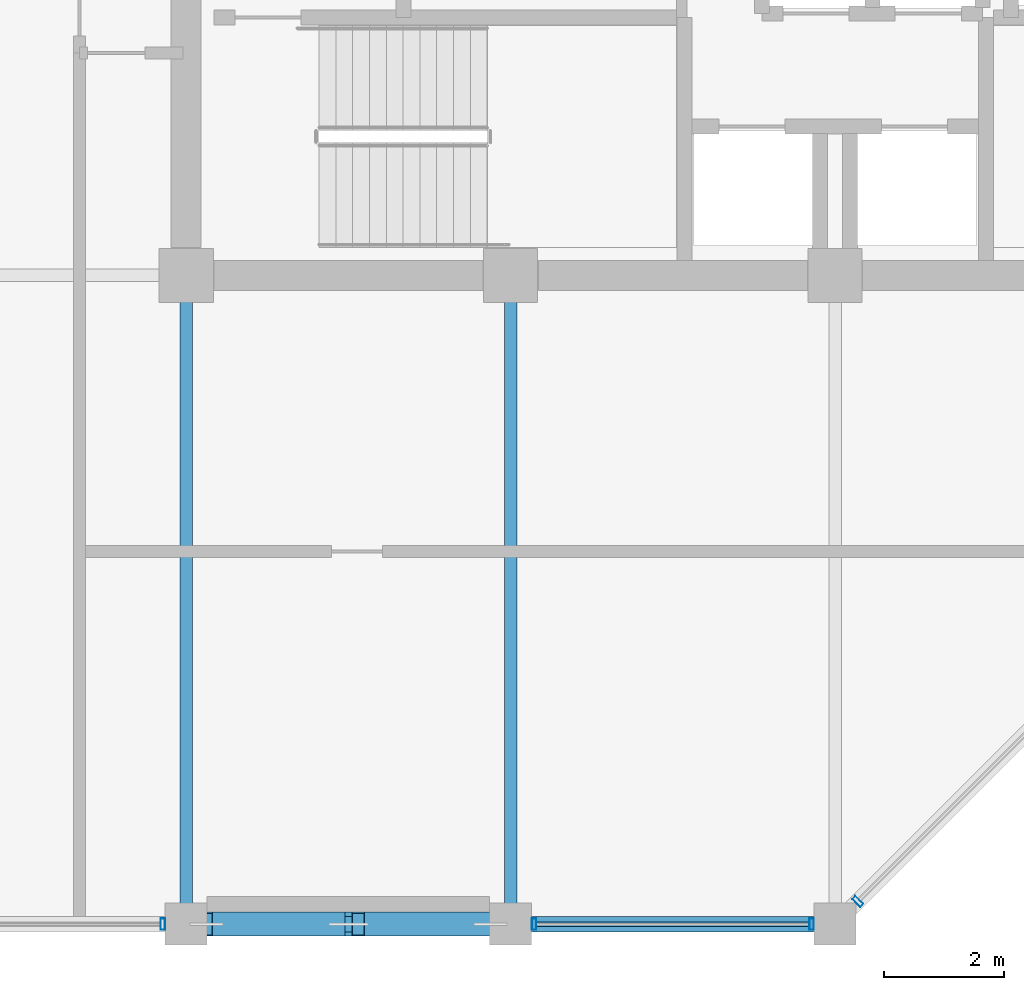
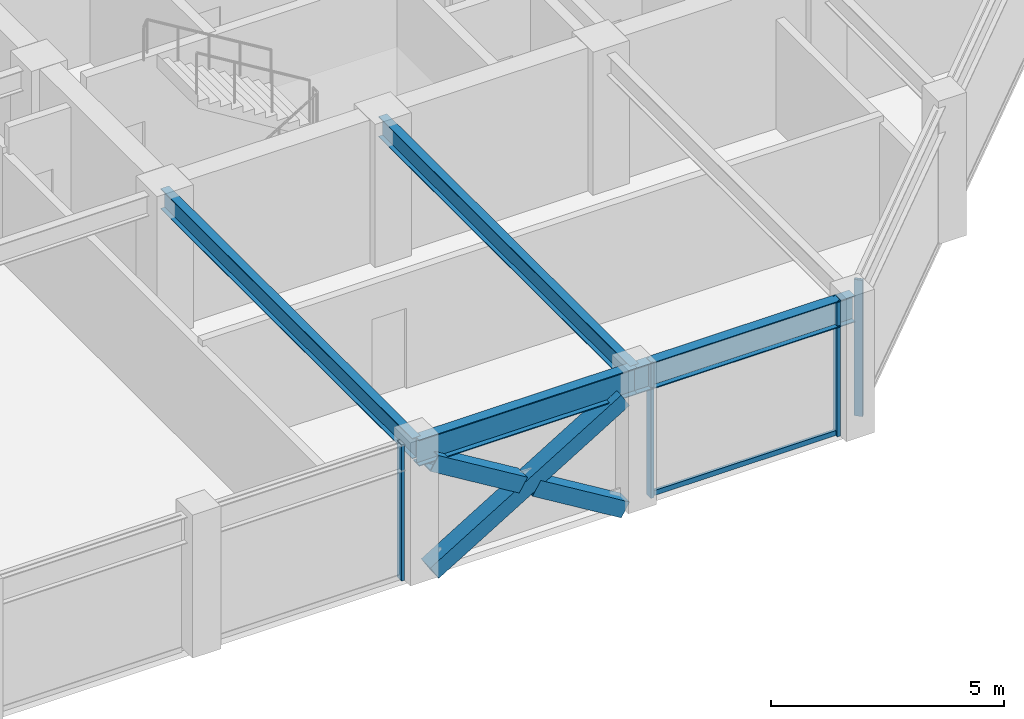
# One storey, part 6 of 29: 8 members, 4 beams, 3 elements without a shape of their own.
"""IFC4 building model written with IfcOpenShell, lengths in metres."""

from ifc_helpers import new_model, si_unit, direction, frame, origin, origin_2d, place, context, subcontext, project, spatial, hollow_rectangle, i_section, extrude, material, layer, layer_set, material_profile, profile_set, type_object, element, aggregate, save


model = new_model("IFC4")

# Units and contexts
model_context = context("Model", 3, precision=1e-05, world=origin(), true_north=direction((0.0, 1.0)))
body_context = subcontext(model_context, "Body", "Model", "MODEL_VIEW")
ifc_project = project(units=[si_unit("LENGTHUNIT", "METRE"), si_unit("AREAUNIT", "SQUARE_METRE"), si_unit("VOLUMEUNIT", "CUBIC_METRE"), si_unit("PLANEANGLEUNIT", "RADIAN"), si_unit("MASSUNIT", "GRAM", prefix="KILO")], contexts=[model_context])

# Site, building, storey
site_placement = place(None, origin())
site = spatial("IfcSite", under=ifc_project, at=site_placement, CompositionType="ELEMENT")
building_placement = place(site_placement, origin())
building = spatial("IfcBuilding", under=site, at=building_placement, Name="Surkhivell Harbour Commons", CompositionType="ELEMENT")
storey_placement = place(building_placement, frame((0.0, 0.0, 277.5)))
storey = spatial("IfcBuildingStorey", under=building, at=storey_placement, Name="L72", CompositionType="ELEMENT", Elevation=277.5)

# Beams
ifc_material_1 = material(Name="Steel S355", Category="steel")
ifc_material_profile_1 = material_profile(ifc_material_1, i_section(OverallWidth=0.2099609375, OverallDepth=0.537109375, WebThickness=0.0107421875, FlangeThickness=0.017333984375, at=origin_2d()), Name="UB533x210x101")
ifc_profile_set_1 = profile_set([ifc_material_profile_1], Name="Steel S355")
beam_type_1 = type_object("IfcBeamType", Name="BM-GRD-533B", PredefinedType="BEAM", material=ifc_profile_set_1)
for number, where, z_axis, x_axis, name in (
    (1, (-10.800048828125, -21.60009765625, 3.301513671875), (0.0, 1.0, 0.0), (-1.0, 0.0, 0.0), "L72 Floor Girder (-10.8,-21.6)"),
    (2, (-5.39990234375, -21.60009765625, 3.301513671875), (0.0, 1.0, 0.0), (-1.0, 0.0, 0.0), "L72 Floor Girder (-5.4,-21.6)"),
):
    element("IfcBeam", number, at=place(storey_placement, frame(where, z_axis=z_axis, x_axis=x_axis)), inside=storey, type_object=beam_type_1, Name=name, PredefinedType="BEAM", context=body_context, shape_type="SweptSolid", body=[
        extrude(i_section(OverallWidth=0.2099609375, OverallDepth=0.537109375, WebThickness=0.0107421875, FlangeThickness=0.017333984375, at=origin_2d()), origin(), (0.0, 0.0, 1.0), 10.800048828125),
    ])
ifc_material_profile_2 = material_profile(ifc_material_1, i_section(OverallWidth=0.256103515625, OverallDepth=0.693115234375, WebThickness=0.014404296875, FlangeThickness=0.023681640625, at=origin_2d()), Name="UB686x254x170")
ifc_profile_set_2 = profile_set([ifc_material_profile_2], Name="Steel S355")
beam_type_2 = type_object("IfcBeamType", Name="BM-SPN-686", PredefinedType="SPANDREL", material=ifc_profile_set_2)
beam_1_placement = place(storey_placement, frame((-10.800048828125, -21.60009765625, 3.223388671875), z_axis=(1.0, 0.0, 0.0), x_axis=(0.0, 1.0, 0.0)))
element("IfcBeam", 3, at=beam_1_placement, inside=storey, type_object=beam_type_2, Name="L72 Tube Spandrel (-10.8,-21.6)", PredefinedType="SPANDREL", context=body_context, shape_type="SweptSolid", body=[
    extrude(i_section(OverallWidth=0.256103515625, OverallDepth=0.693115234375, WebThickness=0.014404296875, FlangeThickness=0.023681640625, at=origin_2d()), origin(), (0.0, 0.0, 1.0), 5.400146484375),
])
beam_2_placement = place(storey_placement, frame((-5.39990234375, -21.60009765625, 3.223388671875), z_axis=(1.0, 0.0, 0.0), x_axis=(0.0, 1.0, 0.0)))
element("IfcBeam", 4, at=beam_2_placement, inside=storey, type_object=beam_type_2, Name="L72 Tube Spandrel (-5.4,-21.6)", PredefinedType="SPANDREL", context=body_context, shape_type="SweptSolid", body=[
    extrude(i_section(OverallWidth=0.256103515625, OverallDepth=0.693115234375, WebThickness=0.014404296875, FlangeThickness=0.023681640625, at=origin_2d()), origin(), (0.0, 0.0, 1.0), 5.39990234375),
])

# Curtain wall, member
ifc_material_2 = material(Name="Anodised pale-metal aluminium and insulated glazing", Category="aluminium")
ifc_layer = layer(ifc_material_2, 0.175048828125)
ifc_layer_set = layer_set([ifc_layer], Name="Anodised pale-metal aluminium and insulated glazing")
curtain_wall_type = type_object("IfcCurtainWallType", Name="CW-SYS-Z4", PredefinedType="NOTDEFINED", material=ifc_layer_set)
curtain_wall_1_placement = place(storey_placement, origin())
curtain_wall_1 = element("IfcCurtainWall", 5, at=curtain_wall_1_placement, inside=storey, type_object=curtain_wall_type, Name="L72 Curtain Wall CW-L72-E00S1", PredefinedType="NOTDEFINED")
ifc_material_3 = material(Name="Anodised pale-metal aluminium alloy 6063-T6", Category="aluminium")
ifc_material_profile_3 = material_profile(ifc_material_3, hollow_rectangle(XDim=0.074951171875, YDim=0.18994140625, WallThickness=0.00390625, at=origin_2d()), Name="ALU-MULL-75x190")
ifc_profile_set_3 = profile_set([ifc_material_profile_3], Name="Anodised pale-metal aluminium alloy 6063-T6")
member_type_1 = type_object("IfcMemberType", Name="CWM-190", PredefinedType="MULLION", material=ifc_profile_set_3)
member_1_placement = place(storey_placement, frame((-11.189453125, -21.60009765625, 0.0), z_axis=(0.0, 0.0, 1.0), x_axis=(1.0, 0.0, 0.0)))
member_1 = element("IfcMember", 6, at=member_1_placement, type_object=member_type_1, Name="CW-Z4 mullion 3", PredefinedType="MULLION", context=body_context, shape_type="SweptSolid", body=[
    extrude(hollow_rectangle(XDim=0.074951171875, YDim=0.18994140625, WallThickness=0.00390625, at=origin_2d()), origin(), (0.0, 0.0, 1.0), 3.570068359375),
])
aggregate(curtain_wall_1, [member_1])

# Curtain wall, members
curtain_wall_2_placement = place(storey_placement, origin())
curtain_wall_2 = element("IfcCurtainWall", 7, at=curtain_wall_2_placement, inside=storey, type_object=curtain_wall_type, Name="L72 Curtain Wall CW-L72-E00S2", PredefinedType="NOTDEFINED")
member_2_placement = place(storey_placement, frame((-5.010498046875, -21.60009765625, 0.0), z_axis=(0.0, 0.0, 1.0), x_axis=(1.0, 0.0, 0.0)))
member_2 = element("IfcMember", 8, at=member_2_placement, type_object=member_type_1, Name="CW-Z4 mullion 1", PredefinedType="MULLION", context=body_context, shape_type="SweptSolid", body=[
    extrude(hollow_rectangle(XDim=0.074951171875, YDim=0.18994140625, WallThickness=0.00390625, at=origin_2d()), origin(), (0.0, 0.0, 1.0), 3.570068359375),
])
member_3_placement = place(storey_placement, frame((-0.389404296875, -21.60009765625, 0.0), z_axis=(0.0, 0.0, 1.0), x_axis=(1.0, 0.0, 0.0)))
member_3 = element("IfcMember", 9, at=member_3_placement, type_object=member_type_1, Name="CW-Z4 mullion 2", PredefinedType="MULLION", context=body_context, shape_type="SweptSolid", body=[
    extrude(hollow_rectangle(XDim=0.074951171875, YDim=0.18994140625, WallThickness=0.00390625, at=origin_2d()), origin(), (0.0, 0.0, 1.0), 3.570068359375),
])

# Curtain wall, member
curtain_wall_3_placement = place(storey_placement, origin())
curtain_wall_3 = element("IfcCurtainWall", 10, at=curtain_wall_3_placement, inside=storey, type_object=curtain_wall_type, Name="L72 Curtain Wall CW-L72-E01", PredefinedType="NOTDEFINED")
member_4_placement = place(storey_placement, frame((0.378173828125, -21.221923828125, 0.0), z_axis=(0.0, 0.0, 1.0), x_axis=(0.707106781187, 0.707106781187, 0.0)))
member_4 = element("IfcMember", 11, at=member_4_placement, type_object=member_type_1, Name="CW-Z4 mullion 1", PredefinedType="MULLION", context=body_context, shape_type="SweptSolid", body=[
    extrude(hollow_rectangle(XDim=0.074951171875, YDim=0.18994140625, WallThickness=0.00390625, at=origin_2d()), origin(), (0.0, 0.0, 1.0), 3.570068359375),
])
aggregate(curtain_wall_3, [member_4])

# Member
ifc_material_4 = material(Name="Champagne anodised aluminium alloy 6063-T6", Category="aluminium")
ifc_material_profile_4 = material_profile(ifc_material_4, hollow_rectangle(XDim=0.070068359375, YDim=0.1298828125, WallThickness=0.00341796875, at=origin_2d()), Name="ALU-TRAN-70x130")
ifc_profile_set_4 = profile_set([ifc_material_profile_4], Name="Champagne anodised aluminium alloy 6063-T6")
member_type_2 = type_object("IfcMemberType", Name="CWT-130", PredefinedType="USERDEFINED", material=ifc_profile_set_4)
member_5_placement = place(storey_placement, frame((-4.972900390625, -21.60009765625, 0.06494140625), z_axis=(1.0, 0.0, 0.0), x_axis=(0.0, 1.0, 0.0)))
member_5 = element("IfcMember", 12, at=member_5_placement, type_object=member_type_2, Name="CW-Z4 transom 1.1", ObjectType="TRANSOM", PredefinedType="USERDEFINED", context=body_context, shape_type="SweptSolid", body=[
    extrude(hollow_rectangle(XDim=0.070068359375, YDim=0.1298828125, WallThickness=0.00341796875, at=origin_2d()), origin(), (0.0, 0.0, 1.0), 4.5458984375),
])

aggregate(curtain_wall_2, [member_2, member_3, member_5])

# Members
ifc_material_5 = material(Name="Steel S460", Category="steel")
ifc_material_profile_5 = material_profile(ifc_material_5, hollow_rectangle(XDim=0.39990234375, YDim=0.39990234375, WallThickness=0.02001953125, at=origin_2d()), Name="SHS400x400x20")
ifc_profile_set_5 = profile_set([ifc_material_profile_5], Name="Steel S460")
member_type_3 = type_object("IfcMemberType", Name="MEM-BRC-SHS400", PredefinedType="BRACE", material=ifc_profile_set_5)
member_6_placement = place(storey_placement, frame((-10.465087890625, -21.60009765625, 0.008056640625), z_axis=(0.854685454322, 0.0, 0.519146197299), x_axis=(0.0, 1.0, 0.0)))
element("IfcMember", 13, at=member_6_placement, inside=storey, type_object=member_type_3, Name="L72 Perimeter Mega-Brace MB- 07", PredefinedType="BRACE", context=body_context, shape_type="SweptSolid", body=[
    extrude(hollow_rectangle(XDim=0.39990234375, YDim=0.39990234375, WallThickness=0.02001953125, at=origin_2d()), origin(), (0.0, 0.0, 1.0), 5.5341796875),
])
member_7_placement = place(storey_placement, frame((-5.735107421875, -21.60009765625, 0.008056640625), z_axis=(-0.854694361898, 0.0, 0.519131532215), x_axis=(0.0, -1.0, 0.0)))
element("IfcMember", 14, at=member_7_placement, inside=storey, type_object=member_type_3, Name="L72 Perimeter Mega-Brace MB- 08", PredefinedType="BRACE", context=body_context, shape_type="SweptSolid", body=[
    extrude(hollow_rectangle(XDim=0.39990234375, YDim=0.39990234375, WallThickness=0.02001953125, at=origin_2d()), origin(), (0.0, 0.0, 1.0), 2.57470703125),
])
member_8_placement = place(storey_placement, frame((-8.26416015625, -21.60009765625, 1.544189453125), z_axis=(-0.854677846108, 0.0, 0.519158722716), x_axis=(0.0, -1.0, 0.0)))
element("IfcMember", 15, at=member_8_placement, inside=storey, type_object=member_type_3, Name="L72 Perimeter Mega-Brace MB- 09", PredefinedType="BRACE", context=body_context, shape_type="SweptSolid", body=[
    extrude(hollow_rectangle(XDim=0.39990234375, YDim=0.39990234375, WallThickness=0.02001953125, at=origin_2d()), origin(), (0.0, 0.0, 1.0), 2.5751953125),
])

save(model, "model.ifc")
